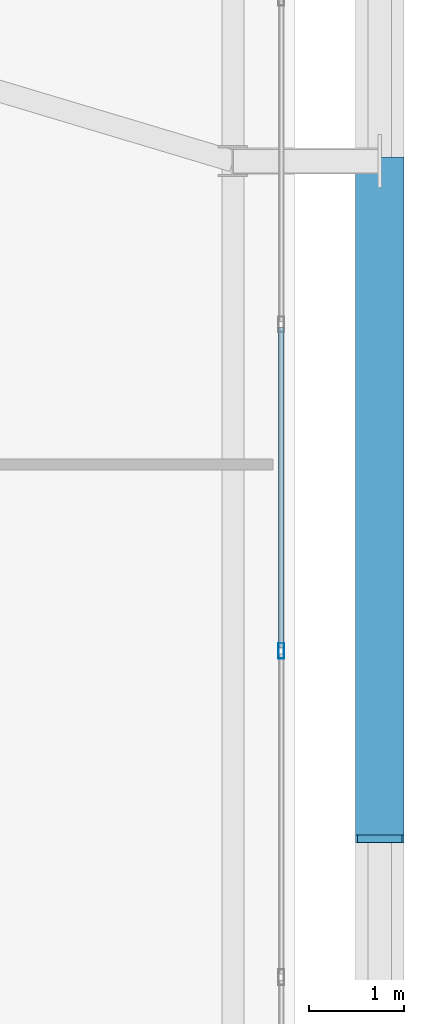
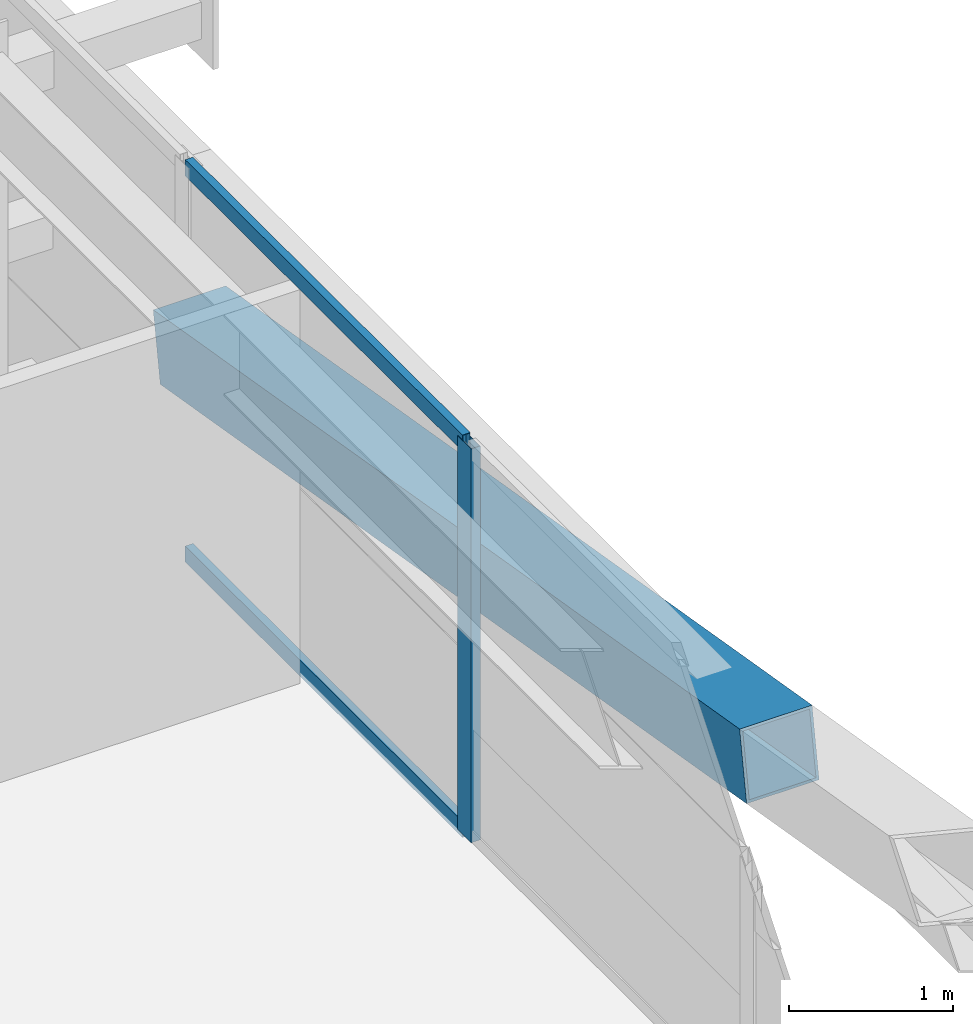
# One storey, part 28 of 59: 4 members, 1 element without a shape of its own.
"""IFC4 building model written with IfcOpenShell, lengths in metres."""

from ifc_helpers import new_model, si_unit, direction, frame, origin, origin_2d, place, context, subcontext, project, spatial, hollow_rectangle, extrude, source, transform, mapped, material, layer, layer_set, material_profile, profile_set, type_object, element, aggregate, save


model = new_model("IFC4")

# Units and contexts
model_context = context("Model", 3, precision=1e-05, world=origin(), true_north=direction((0.0, 1.0)))
body_context = subcontext(model_context, "Body", "Model", "MODEL_VIEW")
ifc_project = project(units=[si_unit("LENGTHUNIT", "METRE"), si_unit("AREAUNIT", "SQUARE_METRE"), si_unit("VOLUMEUNIT", "CUBIC_METRE"), si_unit("PLANEANGLEUNIT", "RADIAN"), si_unit("MASSUNIT", "GRAM", prefix="KILO")], contexts=[model_context])

# Site, building, storey
site_placement = place(None, origin())
site = spatial("IfcSite", under=ifc_project, at=site_placement, CompositionType="ELEMENT")
building_placement = place(site_placement, origin())
building = spatial("IfcBuilding", under=site, at=building_placement, Name="Taldren Reach Tower", CompositionType="ELEMENT")
storey_placement = place(building_placement, frame((0.0, 0.0, 45.14990234375)))
storey = spatial("IfcBuildingStorey", under=building, at=storey_placement, Name="L13", CompositionType="ELEMENT", Elevation=45.14990234375)

# Member
ifc_material_1 = material(Name="Steel Gr 450 (C450L0)", Category="steel")
ifc_material_profile_1 = material_profile(ifc_material_1, hollow_rectangle(XDim=0.510009765625, YDim=0.510009765625, WallThickness=0.02001953125, at=origin_2d()), Name="510x510x20.0SHS")
ifc_profile_set_1 = profile_set([ifc_material_profile_1], Name="Steel Gr 450 (C450L0)")
member_type_1 = type_object("IfcMemberType", Name="MB-EXO508", PredefinedType="BRACE", material=ifc_profile_set_1)
shared_shape_1 = source(origin(), body_context, "Body", "SweptSolid", [
    extrude(hollow_rectangle(XDim=0.510009765625, YDim=0.510009765625, WallThickness=0.02001953125, at=origin_2d()), origin(), (0.0, 0.0, 1.0), 7.25244140625),
])
member_1_placement = place(storey_placement, frame((65.89990234375, 20.0, 0.22021484375), z_axis=(0.0, -0.985870415536, 0.167509772168), x_axis=(1.0, 0.0, 0.0)))
element("IfcMember", 1, at=member_1_placement, inside=storey, type_object=member_type_1, Name="Exoskeleton Diagrid Brace B1-E1 L13", PredefinedType="BRACE", context=body_context, shape_type="MappedRepresentation", body=[
    mapped(shared_shape_1, transform((0.0, 0.0, 0.0), scale=1.0)),
])

# Curtain wall, members
ifc_material_2 = material(Name="Aluminium and Low-E Glass Unitised System", Category="aluminium")
ifc_layer = layer(ifc_material_2, 0.159912109375)
ifc_layer_set = layer_set([ifc_layer], Name="Aluminium and Low-E Glass Unitised System")
curtain_wall_type = type_object("IfcCurtainWallType", Name="CW-SYS-2", PredefinedType="NOTDEFINED", material=ifc_layer_set)
curtain_wall_placement = place(storey_placement, origin())
curtain_wall = element("IfcCurtainWall", 2, at=curtain_wall_placement, inside=storey, type_object=curtain_wall_type, Name="Unitised curtain wall CW-L13-E", PredefinedType="NOTDEFINED")
ifc_material_3 = material(Name="Anodised Aluminium 6063-T6", Category="aluminium")
ifc_material_profile_2 = material_profile(ifc_material_3, hollow_rectangle(XDim=0.054931640625, YDim=0.1201171875, WallThickness=0.0029296875, at=origin_2d()), Name="ALU-120x55x3RHS")
ifc_profile_set_2 = profile_set([ifc_material_profile_2], Name="Anodised Aluminium 6063-T6")
member_type_2 = type_object("IfcMemberType", Name="CW-TRN-135", PredefinedType="USERDEFINED", material=ifc_profile_set_2)
shared_shape_2 = source(origin(), body_context, "Body", "SweptSolid", [
    extrude(hollow_rectangle(XDim=0.054931640625, YDim=0.1201171875, WallThickness=0.0029296875, at=origin_2d()), origin(), (0.0, 0.0, 1.0), 3.379638671875),
])
member_2_placement = place(storey_placement, frame((64.860107421875, 14.86572265625, 0.027587890625), z_axis=(0.0, 1.0, 0.0), x_axis=(-1.0, 0.0, 0.0)))
member_2 = element("IfcMember", 3, at=member_2_placement, type_object=member_type_2, Name="CW-2 transom 4.1", ObjectType="TRANSOM", PredefinedType="USERDEFINED", context=body_context, shape_type="MappedRepresentation", body=[
    mapped(shared_shape_2, transform((0.0, 0.0, 0.0), scale=1.0)),
])
member_3_placement = place(storey_placement, frame((64.860107421875, 14.86572265625, 2.902587890625), z_axis=(0.0, 1.0, 0.0), x_axis=(-1.0, 0.0, 0.0)))
member_3 = element("IfcMember", 4, at=member_3_placement, type_object=member_type_2, Name="CW-2 transom 4.2", ObjectType="TRANSOM", PredefinedType="USERDEFINED", context=body_context, shape_type="MappedRepresentation", body=[
    mapped(shared_shape_2, transform((0.0, 0.0, 0.0), scale=1.0)),
])
ifc_material_profile_3 = material_profile(ifc_material_3, hollow_rectangle(XDim=0.06494140625, YDim=0.1650390625, WallThickness=0.00390625, at=origin_2d()), Name="ALU-165x65x4RHS")
ifc_profile_set_3 = profile_set([ifc_material_profile_3], Name="Anodised Aluminium 6063-T6")
member_type_3 = type_object("IfcMemberType", Name="CW-MUL-165", PredefinedType="MULLION", material=ifc_profile_set_3)
shared_shape_3 = source(origin(), body_context, "Body", "SweptSolid", [
    extrude(hollow_rectangle(XDim=0.06494140625, YDim=0.1650390625, WallThickness=0.00390625, at=origin_2d()), origin(), (0.0, 0.0, 1.0), 2.93017578125),
])
member_4_placement = place(storey_placement, frame((64.860107421875, 14.833251953125, 0.0), z_axis=(0.0, 0.0, 1.0), x_axis=(-1.0, 0.0, 0.0)))
member_4 = element("IfcMember", 5, at=member_4_placement, type_object=member_type_3, Name="CW-2 mullion 4", PredefinedType="MULLION", context=body_context, shape_type="MappedRepresentation", body=[
    mapped(shared_shape_3, transform((0.0, 0.0, 0.0), scale=1.0)),
])
aggregate(curtain_wall, [member_4, member_2, member_3])

save(model, "model.ifc")
